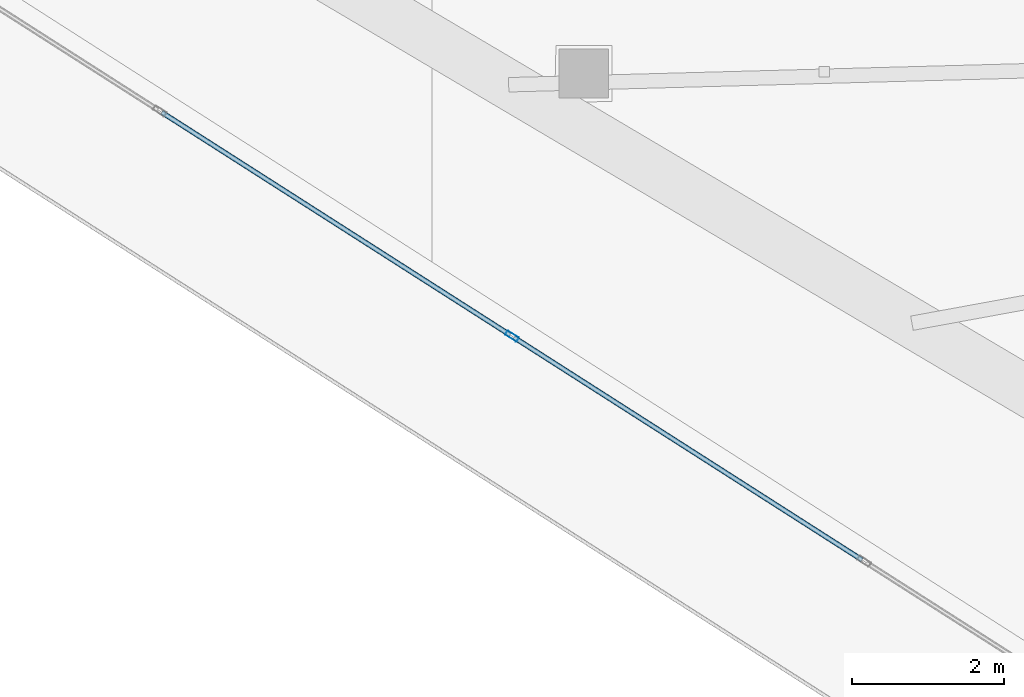
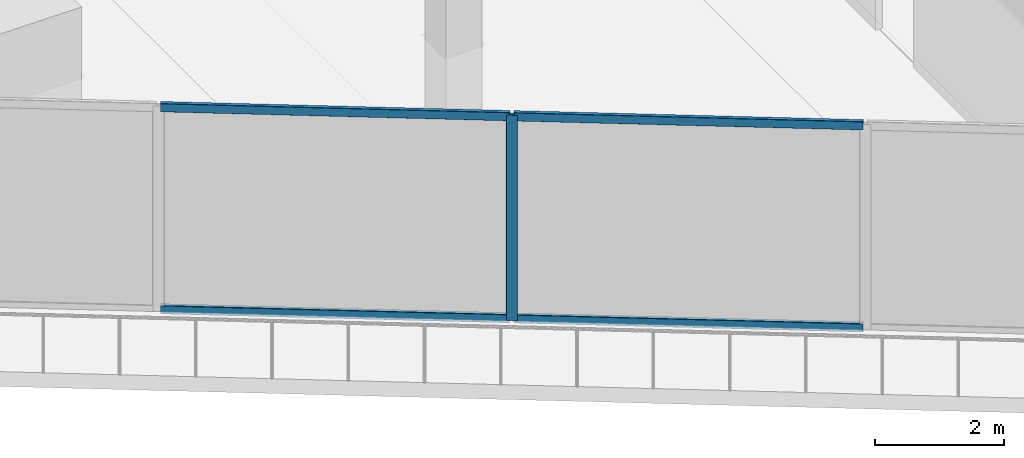
# One storey, part 3 of 45: 5 members, 1 element without a shape of its own.
"""IFC4 building model written with IfcOpenShell, lengths in metres."""

from ifc_helpers import new_model, si_unit, direction, frame, origin, origin_2d, place, context, subcontext, project, spatial, hollow_rectangle, extrude, material, layer, layer_set, material_profile, profile_set, type_object, element, aggregate, save


model = new_model("IFC4")

# Units and contexts
model_context = context("Model", 3, precision=1e-05, world=origin(), true_north=direction((0.0, 1.0)))
body_context = subcontext(model_context, "Body", "Model", "MODEL_VIEW")
ifc_project = project(units=[si_unit("LENGTHUNIT", "METRE"), si_unit("AREAUNIT", "SQUARE_METRE"), si_unit("VOLUMEUNIT", "CUBIC_METRE"), si_unit("PLANEANGLEUNIT", "RADIAN"), si_unit("MASSUNIT", "GRAM", prefix="KILO")], contexts=[model_context])

# Site, building, storey
site_placement = place(None, origin())
site = spatial("IfcSite", under=ifc_project, at=site_placement, CompositionType="ELEMENT")
building_placement = place(site_placement, origin())
building = spatial("IfcBuilding", under=site, at=building_placement, Name="Qorvath Tower", CompositionType="ELEMENT")
storey_placement = place(building_placement, frame((0.0, 0.0, 95.39990234375)))
storey = spatial("IfcBuildingStorey", under=building, at=storey_placement, Name="L21", CompositionType="ELEMENT", Elevation=95.39990234375)

# Curtain wall, members
ifc_material_1 = material(Name="Anodised aluminium and triple low-E glass", Category="aluminium")
ifc_layer = layer(ifc_material_1, 0.179931640625)
ifc_layer_set = layer_set([ifc_layer], Name="CW-SYS-2")
curtain_wall_type = type_object("IfcCurtainWallType", Name="CW-SYS-2", PredefinedType="NOTDEFINED", material=ifc_layer_set)
curtain_wall_placement = place(storey_placement, origin())
curtain_wall = element("IfcCurtainWall", 1, at=curtain_wall_placement, inside=storey, type_object=curtain_wall_type, Name="Curtain Wall CW-2 CW-T-L21-2.1", PredefinedType="NOTDEFINED")
ifc_material_2 = material(Name="Anodised aluminium 6063-T6", Category="aluminium")
ifc_material_profile_1 = material_profile(ifc_material_2, hollow_rectangle(XDim=0.06494140625, YDim=0.179931640625, WallThickness=0.00341796875, InnerFilletRadius=0.00341796875, OuterFilletRadius=0.007080078125, at=origin_2d()), Name="CWM 180x65")
ifc_profile_set_1 = profile_set([ifc_material_profile_1], Name="Anodised aluminium 6063-T6")
member_type_1 = type_object("IfcMemberType", Name="CWM-180", PredefinedType="MULLION", material=ifc_profile_set_1)
member_1_placement = place(storey_placement, frame((-49.524658203125, -9.881591796875, 0.0), z_axis=(0.0, 0.0, 1.0), x_axis=(0.53852928912, 0.842606791309, 0.0)))
member_1 = element("IfcMember", 2, at=member_1_placement, type_object=member_type_1, Name="CW-2 mullion 3", PredefinedType="MULLION", context=body_context, shape_type="SweptSolid", body=[
    extrude(hollow_rectangle(XDim=0.06494140625, YDim=0.179931640625, WallThickness=0.00341796875, InnerFilletRadius=0.00341796875, OuterFilletRadius=0.007080078125, at=origin_2d()), origin(), (0.0, 0.0, 1.0), 3.900146484375),
])
ifc_material_3 = material(Name="Anodised aluminium 6063-T6", Category="aluminium")
ifc_material_profile_2 = material_profile(ifc_material_3, hollow_rectangle(XDim=0.06494140625, YDim=0.159912109375, WallThickness=0.00341796875, InnerFilletRadius=0.00341796875, OuterFilletRadius=0.007080078125, at=origin_2d()), Name="CWT 160x65")
ifc_profile_set_2 = profile_set([ifc_material_profile_2], Name="Anodised aluminium 6063-T6")
member_type_2 = type_object("IfcMemberType", Name="CWT-160", PredefinedType="USERDEFINED", material=ifc_profile_set_2)
member_2_placement = place(storey_placement, frame((-54.131591796875, -6.937255859375, 0.032470703125), z_axis=(0.842620391035, -0.538508009794, 0.0), x_axis=(0.538508009794, 0.842620391035, 0.0)))
member_2 = element("IfcMember", 3, at=member_2_placement, type_object=member_type_2, Name="CW-2 transom 2.1", ObjectType="TRANSOM", PredefinedType="USERDEFINED", context=body_context, shape_type="SweptSolid", body=[
    extrude(hollow_rectangle(XDim=0.06494140625, YDim=0.159912109375, WallThickness=0.00341796875, InnerFilletRadius=0.00341796875, OuterFilletRadius=0.007080078125, at=origin_2d()), origin(), (0.0, 0.0, 1.0), 5.43505859375),
])
member_3_placement = place(storey_placement, frame((-54.131591796875, -6.937255859375, 3.86767578125), z_axis=(0.842620391035, -0.538508009794, 0.0), x_axis=(0.538508009794, 0.842620391035, 0.0)))
member_3 = element("IfcMember", 4, at=member_3_placement, type_object=member_type_2, Name="CW-2 transom 2.2", ObjectType="TRANSOM", PredefinedType="USERDEFINED", context=body_context, shape_type="SweptSolid", body=[
    extrude(hollow_rectangle(XDim=0.06494140625, YDim=0.159912109375, WallThickness=0.00341796875, InnerFilletRadius=0.00341796875, OuterFilletRadius=0.007080078125, at=origin_2d()), origin(), (0.0, 0.0, 1.0), 5.43505859375),
])
member_4_placement = place(storey_placement, frame((-49.4970703125, -9.899169921875, 0.032470703125), z_axis=(0.842607363734, -0.538528393477, 0.0), x_axis=(0.538528393477, 0.842607363734, 0.0)))
member_4 = element("IfcMember", 5, at=member_4_placement, type_object=member_type_2, Name="CW-2 transom 3.1", ObjectType="TRANSOM", PredefinedType="USERDEFINED", context=body_context, shape_type="SweptSolid", body=[
    extrude(hollow_rectangle(XDim=0.06494140625, YDim=0.159912109375, WallThickness=0.00341796875, InnerFilletRadius=0.00341796875, OuterFilletRadius=0.007080078125, at=origin_2d()), origin(), (0.0, 0.0, 1.0), 5.434814453125),
])
member_5_placement = place(storey_placement, frame((-49.4970703125, -9.899169921875, 3.86767578125), z_axis=(0.842607363734, -0.538528393477, 0.0), x_axis=(0.538528393477, 0.842607363734, 0.0)))
member_5 = element("IfcMember", 6, at=member_5_placement, type_object=member_type_2, Name="CW-2 transom 3.2", ObjectType="TRANSOM", PredefinedType="USERDEFINED", context=body_context, shape_type="SweptSolid", body=[
    extrude(hollow_rectangle(XDim=0.06494140625, YDim=0.159912109375, WallThickness=0.00341796875, InnerFilletRadius=0.00341796875, OuterFilletRadius=0.007080078125, at=origin_2d()), origin(), (0.0, 0.0, 1.0), 5.434814453125),
])
aggregate(curtain_wall, [member_1, member_2, member_3, member_4, member_5])

save(model, "model.ifc")
